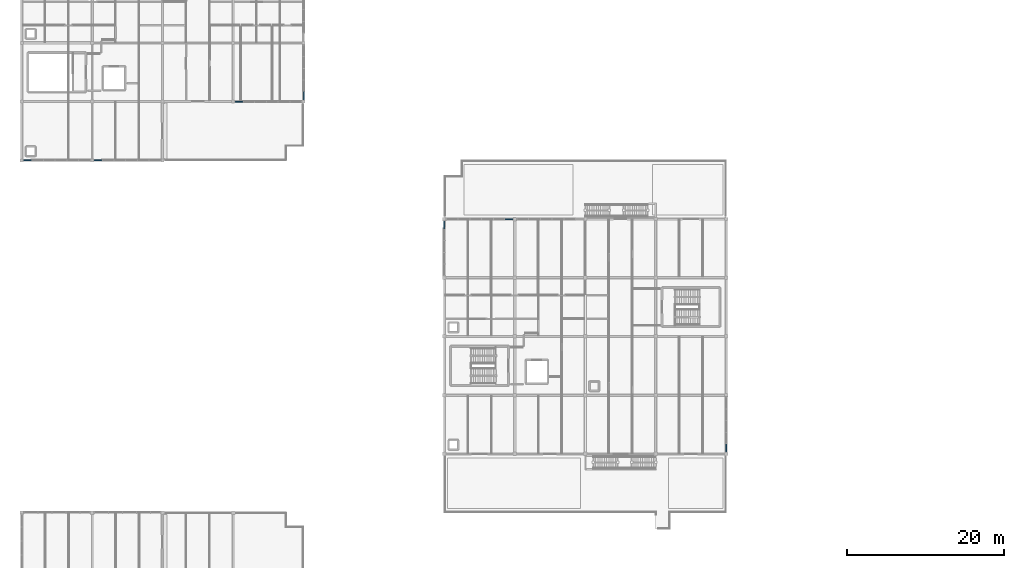
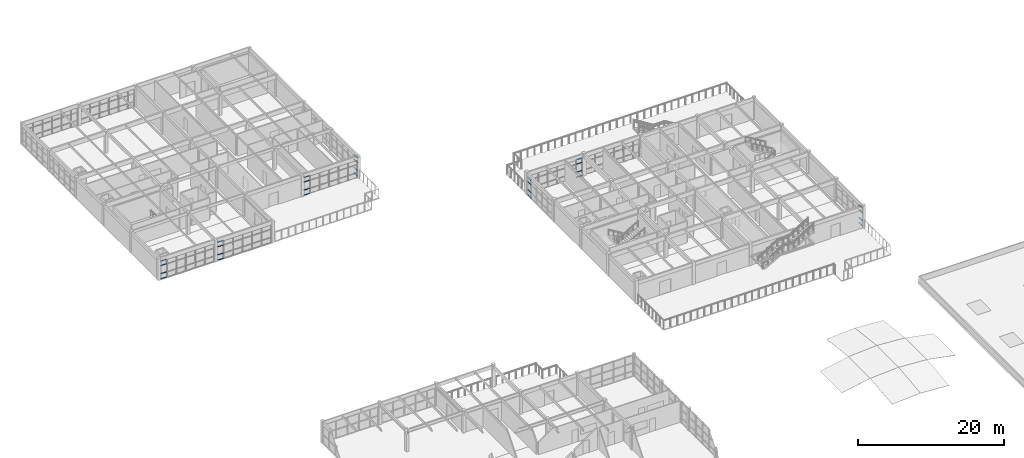
# One storey, part 21 of 45: 28 members, 7 elements without a shape of their own.
"""IFC4 building model written with IfcOpenShell, lengths in metres."""

from ifc_helpers import new_model, si_unit, direction, frame, origin, origin_2d, place, context, subcontext, project, spatial, rectangle, extrude, material, layer, layer_set, material_profile, profile_set, type_object, element, aggregate, save


model = new_model("IFC4")

# Units and contexts
model_context = context("Model", 3, precision=1e-05, world=origin(), true_north=direction((0.0, 1.0)))
body_context = subcontext(model_context, "Body", "Model", "MODEL_VIEW")
ifc_project = project(units=[si_unit("LENGTHUNIT", "METRE"), si_unit("AREAUNIT", "SQUARE_METRE"), si_unit("VOLUMEUNIT", "CUBIC_METRE"), si_unit("PLANEANGLEUNIT", "RADIAN"), si_unit("MASSUNIT", "GRAM", prefix="KILO")], contexts=[model_context])

# Site, building, storey
site_placement = place(None, origin())
site = spatial("IfcSite", under=ifc_project, at=site_placement, CompositionType="ELEMENT")
building_placement = place(site_placement, origin())
building = spatial("IfcBuilding", under=site, at=building_placement, Name="Marnridge Secondary College", CompositionType="ELEMENT")
storey_placement = place(building_placement, frame((0.0, 0.0, 12.300048828125)))
storey = spatial("IfcBuildingStorey", under=building, at=storey_placement, Name="L03", CompositionType="ELEMENT", Elevation=12.300048828125)

# Curtain wall, members
ifc_material_1 = material(Name="Thermally broken aluminium and low-E glazing", Category="aluminium")
ifc_layer = layer(ifc_material_1, 0.159912109375)
ifc_layer_set = layer_set([ifc_layer], Name="CW-MOD-1500")
curtain_wall_type = type_object("IfcCurtainWallType", Name="CW-MOD-1500", PredefinedType="NOTDEFINED", material=ifc_layer_set)
curtain_wall_1_placement = place(storey_placement, origin())
curtain_wall_1 = element("IfcCurtainWall", 1, at=curtain_wall_1_placement, inside=storey, type_object=curtain_wall_type, Name="Unitised curtain wall CW-L03-114", PredefinedType="NOTDEFINED")
ifc_material_2 = material(Name="Anodised aluminium 6063-T6", Category="aluminium")
ifc_material_profile = material_profile(ifc_material_2, rectangle(XDim=0.06005859375, YDim=0.1201171875, at=origin_2d()), Name="ALU 60x120")
ifc_profile_set = profile_set([ifc_material_profile], Name="Anodised aluminium 6063-T6")
member_type = type_object("IfcMemberType", Name="CWT-ALU120", PredefinedType="USERDEFINED", material=ifc_profile_set)
member_1_placement = place(storey_placement, frame((61.7890625, 75.0, 0.030029296875), z_axis=(1.0, 0.0, 0.0), x_axis=(0.0, 0.0, 1.0)))
member_1 = element("IfcMember", 2, at=member_1_placement, type_object=member_type, Name="CW-L03-114 transom 6.1", ObjectType="TRANSOM", PredefinedType="USERDEFINED", context=body_context, shape_type="SweptSolid", body=[
    extrude(rectangle(XDim=0.06005859375, YDim=0.1201171875, at=origin_2d()), origin(), (0.0, 0.0, 1.0), 0.921875),
])
member_2_placement = place(storey_placement, frame((61.7890625, 75.0, 0.89990234375), z_axis=(1.0, 0.0, 0.0), x_axis=(0.0, 0.0, 1.0)))
member_2 = element("IfcMember", 3, at=member_2_placement, type_object=member_type, Name="CW-L03-114 transom 6.2", ObjectType="TRANSOM", PredefinedType="USERDEFINED", context=body_context, shape_type="SweptSolid", body=[
    extrude(rectangle(XDim=0.06005859375, YDim=0.1201171875, at=origin_2d()), origin(), (0.0, 0.0, 1.0), 0.921875),
])
member_3_placement = place(storey_placement, frame((61.7890625, 75.0, 2.25), z_axis=(1.0, 0.0, 0.0), x_axis=(0.0, 0.0, 1.0)))
member_3 = element("IfcMember", 4, at=member_3_placement, type_object=member_type, Name="CW-L03-114 transom 6.3", ObjectType="TRANSOM", PredefinedType="USERDEFINED", context=body_context, shape_type="SweptSolid", body=[
    extrude(rectangle(XDim=0.06005859375, YDim=0.1201171875, at=origin_2d()), origin(), (0.0, 0.0, 1.0), 0.921875),
])
member_4_placement = place(storey_placement, frame((61.7890625, 75.0, 3.016845703125), z_axis=(1.0, 0.0, 0.0), x_axis=(0.0, 0.0, 1.0)))
member_4 = element("IfcMember", 5, at=member_4_placement, type_object=member_type, Name="CW-L03-114 transom 6.4", ObjectType="TRANSOM", PredefinedType="USERDEFINED", context=body_context, shape_type="SweptSolid", body=[
    extrude(rectangle(XDim=0.06005859375, YDim=0.1201171875, at=origin_2d()), origin(), (0.0, 0.0, 1.0), 0.921875),
])
aggregate(curtain_wall_1, [member_1, member_2, member_3, member_4])

curtain_wall_2_placement = place(storey_placement, origin())
curtain_wall_2 = element("IfcCurtainWall", 6, at=curtain_wall_2_placement, inside=storey, type_object=curtain_wall_type, Name="Unitised curtain wall CW-L03-116", PredefinedType="NOTDEFINED")
member_5_placement = place(storey_placement, frame((90.0, 46.2109375, 0.030029296875), z_axis=(0.0, -1.0, 0.0), x_axis=(0.0, 0.0, 1.0)))
member_5 = element("IfcMember", 7, at=member_5_placement, type_object=member_type, Name="CW-L03-116 transom 5.1", ObjectType="TRANSOM", PredefinedType="USERDEFINED", context=body_context, shape_type="SweptSolid", body=[
    extrude(rectangle(XDim=0.06005859375, YDim=0.1201171875, at=origin_2d()), origin(), (0.0, 0.0, 1.0), 0.947021484375),
])
member_6_placement = place(storey_placement, frame((90.0, 46.2109375, 0.89990234375), z_axis=(0.0, -1.0, 0.0), x_axis=(0.0, 0.0, 1.0)))
member_6 = element("IfcMember", 8, at=member_6_placement, type_object=member_type, Name="CW-L03-116 transom 5.2", ObjectType="TRANSOM", PredefinedType="USERDEFINED", context=body_context, shape_type="SweptSolid", body=[
    extrude(rectangle(XDim=0.06005859375, YDim=0.1201171875, at=origin_2d()), origin(), (0.0, 0.0, 1.0), 0.947021484375),
])
member_7_placement = place(storey_placement, frame((90.0, 46.2109375, 2.25), z_axis=(0.0, -1.0, 0.0), x_axis=(0.0, 0.0, 1.0)))
member_7 = element("IfcMember", 9, at=member_7_placement, type_object=member_type, Name="CW-L03-116 transom 5.3", ObjectType="TRANSOM", PredefinedType="USERDEFINED", context=body_context, shape_type="SweptSolid", body=[
    extrude(rectangle(XDim=0.06005859375, YDim=0.1201171875, at=origin_2d()), origin(), (0.0, 0.0, 1.0), 0.947021484375),
])
member_8_placement = place(storey_placement, frame((90.0, 46.2109375, 3.016845703125), z_axis=(0.0, -1.0, 0.0), x_axis=(0.0, 0.0, 1.0)))
member_8 = element("IfcMember", 10, at=member_8_placement, type_object=member_type, Name="CW-L03-116 transom 5.4", ObjectType="TRANSOM", PredefinedType="USERDEFINED", context=body_context, shape_type="SweptSolid", body=[
    extrude(rectangle(XDim=0.06005859375, YDim=0.1201171875, at=origin_2d()), origin(), (0.0, 0.0, 1.0), 0.947021484375),
])
aggregate(curtain_wall_2, [member_5, member_6, member_7, member_8])

curtain_wall_3_placement = place(storey_placement, origin())
curtain_wall_3 = element("IfcCurtainWall", 11, at=curtain_wall_3_placement, inside=storey, type_object=curtain_wall_type, Name="Unitised curtain wall CW-L03-117", PredefinedType="NOTDEFINED")
member_9_placement = place(storey_placement, frame((54.0, 73.7890625, 0.030029296875), z_axis=(0.0, 1.0, 0.0), x_axis=(0.0, 0.0, 1.0)))
member_9 = element("IfcMember", 12, at=member_9_placement, type_object=member_type, Name="CW-L03-117 transom 5.1", ObjectType="TRANSOM", PredefinedType="USERDEFINED", context=body_context, shape_type="SweptSolid", body=[
    extrude(rectangle(XDim=0.06005859375, YDim=0.1201171875, at=origin_2d()), origin(), (0.0, 0.0, 1.0), 0.921875),
])
member_10_placement = place(storey_placement, frame((54.0, 73.7890625, 0.89990234375), z_axis=(0.0, 1.0, 0.0), x_axis=(0.0, 0.0, 1.0)))
member_10 = element("IfcMember", 13, at=member_10_placement, type_object=member_type, Name="CW-L03-117 transom 5.2", ObjectType="TRANSOM", PredefinedType="USERDEFINED", context=body_context, shape_type="SweptSolid", body=[
    extrude(rectangle(XDim=0.06005859375, YDim=0.1201171875, at=origin_2d()), origin(), (0.0, 0.0, 1.0), 0.921875),
])
member_11_placement = place(storey_placement, frame((54.0, 73.7890625, 2.25), z_axis=(0.0, 1.0, 0.0), x_axis=(0.0, 0.0, 1.0)))
member_11 = element("IfcMember", 14, at=member_11_placement, type_object=member_type, Name="CW-L03-117 transom 5.3", ObjectType="TRANSOM", PredefinedType="USERDEFINED", context=body_context, shape_type="SweptSolid", body=[
    extrude(rectangle(XDim=0.06005859375, YDim=0.1201171875, at=origin_2d()), origin(), (0.0, 0.0, 1.0), 0.921875),
])
member_12_placement = place(storey_placement, frame((54.0, 73.7890625, 3.016845703125), z_axis=(0.0, 1.0, 0.0), x_axis=(0.0, 0.0, 1.0)))
member_12 = element("IfcMember", 15, at=member_12_placement, type_object=member_type, Name="CW-L03-117 transom 5.4", ObjectType="TRANSOM", PredefinedType="USERDEFINED", context=body_context, shape_type="SweptSolid", body=[
    extrude(rectangle(XDim=0.06005859375, YDim=0.1201171875, at=origin_2d()), origin(), (0.0, 0.0, 1.0), 0.921875),
])
aggregate(curtain_wall_3, [member_9, member_10, member_11, member_12])

curtain_wall_4_placement = place(storey_placement, origin())
curtain_wall_4 = element("IfcCurtainWall", 16, at=curtain_wall_4_placement, inside=storey, type_object=curtain_wall_type, Name="Unitised curtain wall CW-L03-121", PredefinedType="NOTDEFINED")
member_13_placement = place(storey_placement, frame((36.0, 91.236083984375, 0.030029296875), z_axis=(0.0, -1.0, 0.0), x_axis=(0.0, 0.0, 1.0)))
member_13 = element("IfcMember", 17, at=member_13_placement, type_object=member_type, Name="CW-L03-121 transom 5.1", ObjectType="TRANSOM", PredefinedType="USERDEFINED", context=body_context, shape_type="SweptSolid", body=[
    extrude(rectangle(XDim=0.06005859375, YDim=0.1201171875, at=origin_2d()), origin(), (0.0, 0.0, 1.0), 0.97216796875),
])
member_14_placement = place(storey_placement, frame((36.0, 91.236083984375, 0.89990234375), z_axis=(0.0, -1.0, 0.0), x_axis=(0.0, 0.0, 1.0)))
member_14 = element("IfcMember", 18, at=member_14_placement, type_object=member_type, Name="CW-L03-121 transom 5.2", ObjectType="TRANSOM", PredefinedType="USERDEFINED", context=body_context, shape_type="SweptSolid", body=[
    extrude(rectangle(XDim=0.06005859375, YDim=0.1201171875, at=origin_2d()), origin(), (0.0, 0.0, 1.0), 0.97216796875),
])
member_15_placement = place(storey_placement, frame((36.0, 91.236083984375, 2.25), z_axis=(0.0, -1.0, 0.0), x_axis=(0.0, 0.0, 1.0)))
member_15 = element("IfcMember", 19, at=member_15_placement, type_object=member_type, Name="CW-L03-121 transom 5.3", ObjectType="TRANSOM", PredefinedType="USERDEFINED", context=body_context, shape_type="SweptSolid", body=[
    extrude(rectangle(XDim=0.06005859375, YDim=0.1201171875, at=origin_2d()), origin(), (0.0, 0.0, 1.0), 0.97216796875),
])
member_16_placement = place(storey_placement, frame((36.0, 91.236083984375, 3.02685546875), z_axis=(0.0, -1.0, 0.0), x_axis=(0.0, 0.0, 1.0)))
member_16 = element("IfcMember", 20, at=member_16_placement, type_object=member_type, Name="CW-L03-121 transom 5.4", ObjectType="TRANSOM", PredefinedType="USERDEFINED", context=body_context, shape_type="SweptSolid", body=[
    extrude(rectangle(XDim=0.06005859375, YDim=0.1201171875, at=origin_2d()), origin(), (0.0, 0.0, 1.0), 0.97216796875),
])
aggregate(curtain_wall_4, [member_13, member_14, member_15, member_16])

curtain_wall_5_placement = place(storey_placement, origin())
curtain_wall_5 = element("IfcCurtainWall", 21, at=curtain_wall_5_placement, inside=storey, type_object=curtain_wall_type, Name="Unitised curtain wall CW-L03-122", PredefinedType="NOTDEFINED")
member_17_placement = place(storey_placement, frame((28.236083984375, 90.0, 0.030029296875), z_axis=(-1.0, 0.0, 0.0), x_axis=(0.0, 0.0, 1.0)))
member_17 = element("IfcMember", 22, at=member_17_placement, type_object=member_type, Name="CW-L03-122 transom 6.1", ObjectType="TRANSOM", PredefinedType="USERDEFINED", context=body_context, shape_type="SweptSolid", body=[
    extrude(rectangle(XDim=0.06005859375, YDim=0.1201171875, at=origin_2d()), origin(), (0.0, 0.0, 1.0), 0.97216796875),
])
member_18_placement = place(storey_placement, frame((28.236083984375, 90.0, 0.89990234375), z_axis=(-1.0, 0.0, 0.0), x_axis=(0.0, 0.0, 1.0)))
member_18 = element("IfcMember", 23, at=member_18_placement, type_object=member_type, Name="CW-L03-122 transom 6.2", ObjectType="TRANSOM", PredefinedType="USERDEFINED", context=body_context, shape_type="SweptSolid", body=[
    extrude(rectangle(XDim=0.06005859375, YDim=0.1201171875, at=origin_2d()), origin(), (0.0, 0.0, 1.0), 0.97216796875),
])
member_19_placement = place(storey_placement, frame((28.236083984375, 90.0, 2.25), z_axis=(-1.0, 0.0, 0.0), x_axis=(0.0, 0.0, 1.0)))
member_19 = element("IfcMember", 24, at=member_19_placement, type_object=member_type, Name="CW-L03-122 transom 6.3", ObjectType="TRANSOM", PredefinedType="USERDEFINED", context=body_context, shape_type="SweptSolid", body=[
    extrude(rectangle(XDim=0.06005859375, YDim=0.1201171875, at=origin_2d()), origin(), (0.0, 0.0, 1.0), 0.97216796875),
])
member_20_placement = place(storey_placement, frame((28.236083984375, 90.0, 3.02685546875), z_axis=(-1.0, 0.0, 0.0), x_axis=(0.0, 0.0, 1.0)))
member_20 = element("IfcMember", 25, at=member_20_placement, type_object=member_type, Name="CW-L03-122 transom 6.4", ObjectType="TRANSOM", PredefinedType="USERDEFINED", context=body_context, shape_type="SweptSolid", body=[
    extrude(rectangle(XDim=0.06005859375, YDim=0.1201171875, at=origin_2d()), origin(), (0.0, 0.0, 1.0), 0.97216796875),
])
aggregate(curtain_wall_5, [member_17, member_18, member_19, member_20])

curtain_wall_6_placement = place(storey_placement, origin())
curtain_wall_6 = element("IfcCurtainWall", 26, at=curtain_wall_6_placement, inside=storey, type_object=curtain_wall_type, Name="Unitised curtain wall CW-L03-123", PredefinedType="NOTDEFINED")
member_21_placement = place(storey_placement, frame((10.236083984375, 82.5, 0.030029296875), z_axis=(-1.0, 0.0, 0.0), x_axis=(0.0, 0.0, 1.0)))
member_21 = element("IfcMember", 27, at=member_21_placement, type_object=member_type, Name="CW-L03-123 transom 6.1", ObjectType="TRANSOM", PredefinedType="USERDEFINED", context=body_context, shape_type="SweptSolid", body=[
    extrude(rectangle(XDim=0.06005859375, YDim=0.1201171875, at=origin_2d()), origin(), (0.0, 0.0, 1.0), 0.97216796875),
])
member_22_placement = place(storey_placement, frame((10.236083984375, 82.5, 0.89990234375), z_axis=(-1.0, 0.0, 0.0), x_axis=(0.0, 0.0, 1.0)))
member_22 = element("IfcMember", 28, at=member_22_placement, type_object=member_type, Name="CW-L03-123 transom 6.2", ObjectType="TRANSOM", PredefinedType="USERDEFINED", context=body_context, shape_type="SweptSolid", body=[
    extrude(rectangle(XDim=0.06005859375, YDim=0.1201171875, at=origin_2d()), origin(), (0.0, 0.0, 1.0), 0.97216796875),
])
member_23_placement = place(storey_placement, frame((10.236083984375, 82.5, 2.25), z_axis=(-1.0, 0.0, 0.0), x_axis=(0.0, 0.0, 1.0)))
member_23 = element("IfcMember", 29, at=member_23_placement, type_object=member_type, Name="CW-L03-123 transom 6.3", ObjectType="TRANSOM", PredefinedType="USERDEFINED", context=body_context, shape_type="SweptSolid", body=[
    extrude(rectangle(XDim=0.06005859375, YDim=0.1201171875, at=origin_2d()), origin(), (0.0, 0.0, 1.0), 0.97216796875),
])
member_24_placement = place(storey_placement, frame((10.236083984375, 82.5, 3.02685546875), z_axis=(-1.0, 0.0, 0.0), x_axis=(0.0, 0.0, 1.0)))
member_24 = element("IfcMember", 30, at=member_24_placement, type_object=member_type, Name="CW-L03-123 transom 6.4", ObjectType="TRANSOM", PredefinedType="USERDEFINED", context=body_context, shape_type="SweptSolid", body=[
    extrude(rectangle(XDim=0.06005859375, YDim=0.1201171875, at=origin_2d()), origin(), (0.0, 0.0, 1.0), 0.97216796875),
])
aggregate(curtain_wall_6, [member_21, member_22, member_23, member_24])

curtain_wall_7_placement = place(storey_placement, origin())
curtain_wall_7 = element("IfcCurtainWall", 31, at=curtain_wall_7_placement, inside=storey, type_object=curtain_wall_type, Name="Unitised curtain wall CW-L03-124", PredefinedType="NOTDEFINED")
member_25_placement = place(storey_placement, frame((1.236083984375, 82.5, 0.030029296875), z_axis=(-1.0, 0.0, 0.0), x_axis=(0.0, 0.0, 1.0)))
member_25 = element("IfcMember", 32, at=member_25_placement, type_object=member_type, Name="CW-L03-124 transom 6.1", ObjectType="TRANSOM", PredefinedType="USERDEFINED", context=body_context, shape_type="SweptSolid", body=[
    extrude(rectangle(XDim=0.06005859375, YDim=0.1201171875, at=origin_2d()), origin(), (0.0, 0.0, 1.0), 0.97216796875),
])
member_26_placement = place(storey_placement, frame((1.236083984375, 82.5, 0.89990234375), z_axis=(-1.0, 0.0, 0.0), x_axis=(0.0, 0.0, 1.0)))
member_26 = element("IfcMember", 33, at=member_26_placement, type_object=member_type, Name="CW-L03-124 transom 6.2", ObjectType="TRANSOM", PredefinedType="USERDEFINED", context=body_context, shape_type="SweptSolid", body=[
    extrude(rectangle(XDim=0.06005859375, YDim=0.1201171875, at=origin_2d()), origin(), (0.0, 0.0, 1.0), 0.97216796875),
])
member_27_placement = place(storey_placement, frame((1.236083984375, 82.5, 2.25), z_axis=(-1.0, 0.0, 0.0), x_axis=(0.0, 0.0, 1.0)))
member_27 = element("IfcMember", 34, at=member_27_placement, type_object=member_type, Name="CW-L03-124 transom 6.3", ObjectType="TRANSOM", PredefinedType="USERDEFINED", context=body_context, shape_type="SweptSolid", body=[
    extrude(rectangle(XDim=0.06005859375, YDim=0.1201171875, at=origin_2d()), origin(), (0.0, 0.0, 1.0), 0.97216796875),
])
member_28_placement = place(storey_placement, frame((1.236083984375, 82.5, 3.02685546875), z_axis=(-1.0, 0.0, 0.0), x_axis=(0.0, 0.0, 1.0)))
member_28 = element("IfcMember", 35, at=member_28_placement, type_object=member_type, Name="CW-L03-124 transom 6.4", ObjectType="TRANSOM", PredefinedType="USERDEFINED", context=body_context, shape_type="SweptSolid", body=[
    extrude(rectangle(XDim=0.06005859375, YDim=0.1201171875, at=origin_2d()), origin(), (0.0, 0.0, 1.0), 0.97216796875),
])
aggregate(curtain_wall_7, [member_25, member_26, member_27, member_28])

save(model, "model.ifc")
